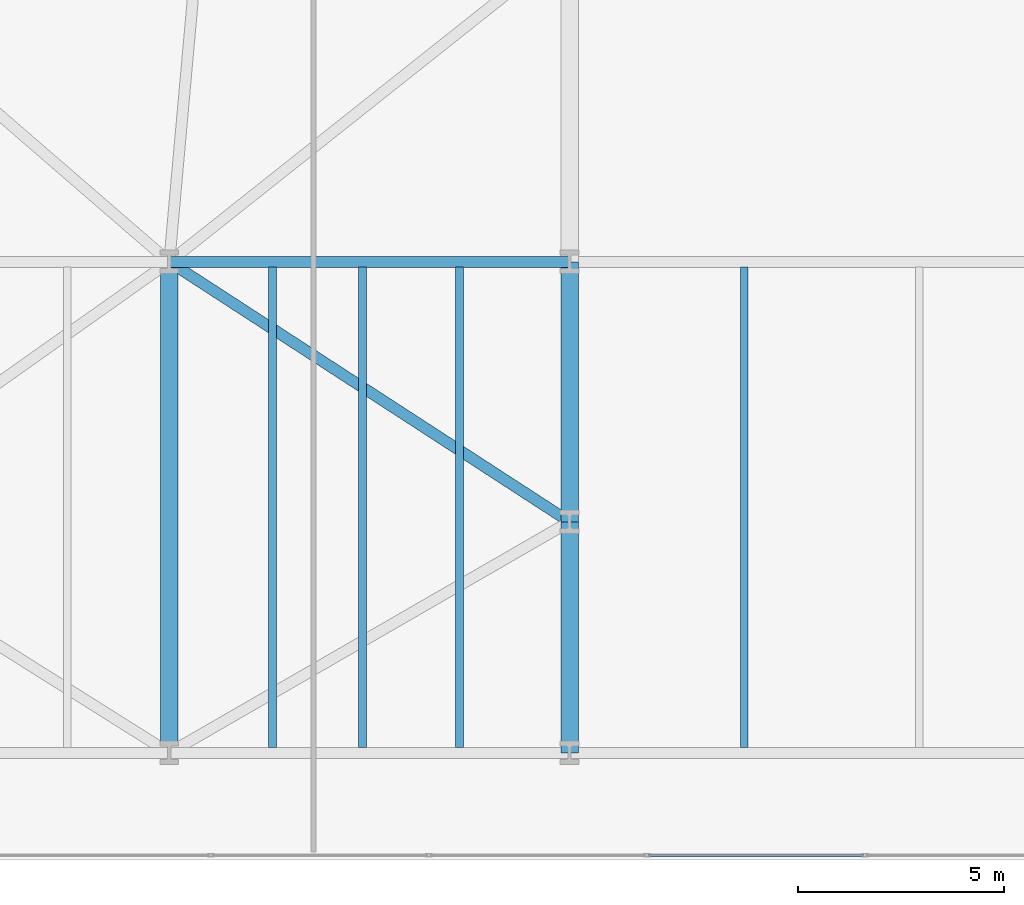
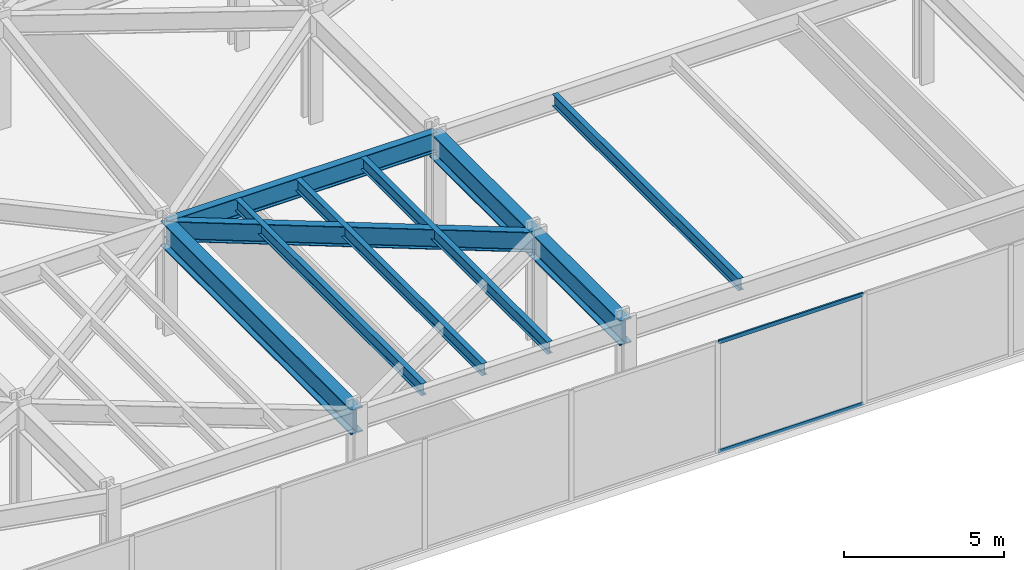
# One storey, part 7 of 28: 9 beams, 2 members, 1 element without a shape of its own.
"""IFC4 building model written with IfcOpenShell, lengths in metres."""

from ifc_helpers import new_model, si_unit, direction, frame, origin, origin_2d, place, context, subcontext, project, spatial, hollow_rectangle, i_section, extrude, material, layer, layer_set, material_profile, profile_set, type_object, element, aggregate, save


model = new_model("IFC4")

# Units and contexts
model_context = context("Model", 3, precision=1e-05, world=origin(), true_north=direction((0.0, 1.0)))
body_context = subcontext(model_context, "Body", "Model", "MODEL_VIEW")
ifc_project = project(units=[si_unit("LENGTHUNIT", "METRE"), si_unit("AREAUNIT", "SQUARE_METRE"), si_unit("VOLUMEUNIT", "CUBIC_METRE"), si_unit("PLANEANGLEUNIT", "RADIAN"), si_unit("MASSUNIT", "GRAM", prefix="KILO")], contexts=[model_context])

# Site, building, storey
site_placement = place(None, origin())
site = spatial("IfcSite", under=ifc_project, at=site_placement, CompositionType="ELEMENT")
building_placement = place(site_placement, origin())
building = spatial("IfcBuilding", under=site, at=building_placement, Name="Kravanh Interchange Tower", CompositionType="ELEMENT")
storey_placement = place(building_placement, frame((0.0, 0.0, 15.300048828125)))
storey = spatial("IfcBuildingStorey", under=building, at=storey_placement, Name="L03", CompositionType="ELEMENT", Elevation=15.300048828125)

# Curtain wall, members
ifc_material_1 = material(Name="Anodised Bronze Aluminium", Category="aluminium")
ifc_layer = layer(ifc_material_1, 0.179931640625)
ifc_layer_set = layer_set([ifc_layer], Name="Unitised Curtain Wall System CW-POD Podium Concourse")
curtain_wall_type = type_object("IfcCurtainWallType", Name="Unitised Curtain Wall System CW-POD Podium Concourse", PredefinedType="NOTDEFINED", material=ifc_layer_set)
curtain_wall_placement = place(storey_placement, origin())
curtain_wall = element("IfcCurtainWall", 1, at=curtain_wall_placement, inside=storey, type_object=curtain_wall_type, Name="L03 Unitised Curtain Wall CW-L03-04", PredefinedType="NOTDEFINED")
ifc_material_2 = material(Name="Anodised Bronze Aluminium", Category="aluminium")
ifc_material_profile_1 = material_profile(ifc_material_2, hollow_rectangle(XDim=0.06005859375, YDim=0.139892578125, WallThickness=0.00390625, at=origin_2d()), Name="ALU60X140X4")
ifc_profile_set_1 = profile_set([ifc_material_profile_1], Name="Anodised Bronze Aluminium")
member_type = type_object("IfcMemberType", Name="Curtain Wall Transom ALU60X140X4 Bronze", PredefinedType="USERDEFINED", material=ifc_profile_set_1)
member_1_placement = place(storey_placement, frame((34.32275390625, 0.1201171875, 0.030029296875), z_axis=(-1.0, 0.0, 0.0), x_axis=(0.0, -1.0, 0.0)))
member_1 = element("IfcMember", 2, at=member_1_placement, type_object=member_type, Name="CW-POD transom 8.1", ObjectType="TRANSOM", PredefinedType="USERDEFINED", context=body_context, shape_type="SweptSolid", body=[
    extrude(hollow_rectangle(XDim=0.06005859375, YDim=0.139892578125, WallThickness=0.00390625, at=origin_2d()), origin(), (0.0, 0.0, 1.0), 5.21484375),
])
member_2_placement = place(storey_placement, frame((34.32275390625, 0.1201171875, 4.199951171875), z_axis=(-1.0, 0.0, 0.0), x_axis=(0.0, -1.0, 0.0)))
member_2 = element("IfcMember", 3, at=member_2_placement, type_object=member_type, Name="CW-POD transom 8.2", ObjectType="TRANSOM", PredefinedType="USERDEFINED", context=body_context, shape_type="SweptSolid", body=[
    extrude(hollow_rectangle(XDim=0.06005859375, YDim=0.139892578125, WallThickness=0.00390625, at=origin_2d()), origin(), (0.0, 0.0, 1.0), 5.21484375),
])
aggregate(curtain_wall, [member_1, member_2])

# Beams
ifc_material_3 = material(Name="Structural Steel S450", Category="steel")
ifc_material_profile_2 = material_profile(ifc_material_3, i_section(OverallWidth=0.423095703125, OverallDepth=0.947998046875, WebThickness=0.02392578125, FlangeThickness=0.042724609375, FilletRadius=0.028076171875, at=origin_2d()), Name="W36X302")
ifc_profile_set_2 = profile_set([ifc_material_profile_2], Name="Structural Steel S450")
beam_type_1 = type_object("IfcBeamType", Name="Floor Beam W36X302 Structural Steel S450", PredefinedType="BEAM", material=ifc_profile_set_2)
beam_1_placement = place(storey_placement, frame((17.5, 2.60009765625, 3.755859375), z_axis=(0.0, 1.0, 0.0), x_axis=(-1.0, 0.0, 0.0)))
element("IfcBeam", 4, at=beam_1_placement, inside=storey, type_object=beam_type_1, Name="L03 Primary Floor Girder 7", PredefinedType="BEAM", context=body_context, shape_type="SweptSolid", body=[
    extrude(i_section(OverallWidth=0.423095703125, OverallDepth=0.947998046875, WebThickness=0.02392578125, FlangeThickness=0.042724609375, FilletRadius=0.028076171875, at=origin_2d()), origin(), (0.0, 0.0, 1.0), 11.89990234375),
])
beam_2_placement = place(storey_placement, frame((27.199951171875, 2.60009765625, 3.755859375), z_axis=(0.0, 1.0, 0.0), x_axis=(-1.0, 0.0, 0.0)))
element("IfcBeam", 5, at=beam_2_placement, inside=storey, type_object=beam_type_1, Name="L03 Primary Floor Girder 8", PredefinedType="BEAM", context=body_context, shape_type="SweptSolid", body=[
    extrude(i_section(OverallWidth=0.423095703125, OverallDepth=0.947998046875, WebThickness=0.02392578125, FlangeThickness=0.042724609375, FilletRadius=0.028076171875, at=origin_2d()), origin(), (0.0, 0.0, 1.0), 5.599853515625),
])
beam_3_placement = place(storey_placement, frame((27.199951171875, 8.199951171875, 3.755859375), z_axis=(0.0, 1.0, 0.0), x_axis=(-1.0, 0.0, 0.0)))
element("IfcBeam", 6, at=beam_3_placement, inside=storey, type_object=beam_type_1, Name="L03 Primary Floor Girder 27", PredefinedType="BEAM", context=body_context, shape_type="SweptSolid", body=[
    extrude(i_section(OverallWidth=0.423095703125, OverallDepth=0.947998046875, WebThickness=0.02392578125, FlangeThickness=0.042724609375, FilletRadius=0.028076171875, at=origin_2d()), origin(), (0.0, 0.0, 1.0), 6.300048828125),
])
ifc_material_4 = material(Name="Structural Steel S355", Category="steel")
ifc_material_profile_3 = material_profile(ifc_material_4, i_section(OverallWidth=0.18994140625, OverallDepth=0.45703125, WebThickness=0.009033203125, FlangeThickness=0.014404296875, FilletRadius=0.01806640625, at=origin_2d()), Name="W18X50")
ifc_profile_set_3 = profile_set([ifc_material_profile_3], Name="Structural Steel S355")
beam_type_2 = type_object("IfcBeamType", Name="Floor Joist W18X50 Structural Steel S355", PredefinedType="JOIST", material=ifc_profile_set_3)
for number, where, z_axis, x_axis, name in (
    (7, (19.998046875, 2.728515625, 4.00146484375), (0.0, 1.0, 0.0), (-1.0, 0.0, 0.0), "L03 Secondary Floor Joist 4"),
    (8, (22.181884765625, 2.728515625, 4.00146484375), (0.0, 1.0, 0.0), (-1.0, 0.0, 0.0), "L03 Secondary Floor Joist 5"),
    (9, (24.533935546875, 2.728515625, 4.00146484375), (0.0, 1.0, 0.0), (-1.0, 0.0, 0.0), "L03 Secondary Floor Joist 6"),
    (10, (31.43603515625, 2.728515625, 4.00146484375), (0.0, 1.0, 0.0), (-1.0, 0.0, 0.0), "L03 Secondary Floor Joist 7"),
):
    element("IfcBeam", number, at=place(storey_placement, frame(where, z_axis=z_axis, x_axis=x_axis)), inside=storey, type_object=beam_type_2, Name=name, PredefinedType="JOIST", context=body_context, shape_type="SweptSolid", body=[
        extrude(i_section(OverallWidth=0.18994140625, OverallDepth=0.45703125, WebThickness=0.009033203125, FlangeThickness=0.014404296875, FilletRadius=0.01806640625, at=origin_2d()), origin(), (0.0, 0.0, 1.0), 11.64306640625),
    ])
ifc_material_5 = material(Name="Structural Steel S355", Category="steel")
ifc_material_profile_4 = material_profile(ifc_material_5, i_section(OverallWidth=0.26708984375, OverallDepth=0.761962890625, WebThickness=0.014404296875, FlangeThickness=0.021484375, FilletRadius=0.02490234375, at=origin_2d()), Name="W30X116")
ifc_profile_set_4 = profile_set([ifc_material_profile_4], Name="Structural Steel S355")
beam_type_3 = type_object("IfcBeamType", Name="Floor Spandrel W30X116 Structural Steel S355", PredefinedType="SPANDREL", material=ifc_profile_set_4)
beam_4_placement = place(storey_placement, frame((27.199951171875, 8.199951171875, 3.848876953125), z_axis=(-0.838637911458, 0.544689318295, 0.0), x_axis=(-0.544689318295, -0.838637911458, 0.0)))
element("IfcBeam", 11, at=beam_4_placement, inside=storey, type_object=beam_type_3, Name="L03 Perimeter Spandrel 28", PredefinedType="SPANDREL", context=body_context, shape_type="SweptSolid", body=[
    extrude(i_section(OverallWidth=0.26708984375, OverallDepth=0.761962890625, WebThickness=0.014404296875, FlangeThickness=0.021484375, FilletRadius=0.02490234375, at=origin_2d()), origin(), (0.0, 0.0, 1.0), 11.56640625),
])
beam_5_placement = place(storey_placement, frame((17.5, 14.5, 3.848876953125), z_axis=(1.0, 0.0, 0.0), x_axis=(0.0, 1.0, 0.0)))
element("IfcBeam", 12, at=beam_5_placement, inside=storey, type_object=beam_type_3, Name="L03 Perimeter Spandrel 41", PredefinedType="SPANDREL", context=body_context, shape_type="SweptSolid", body=[
    extrude(i_section(OverallWidth=0.26708984375, OverallDepth=0.761962890625, WebThickness=0.014404296875, FlangeThickness=0.021484375, FilletRadius=0.02490234375, at=origin_2d()), origin(), (0.0, 0.0, 1.0), 9.699951171875),
])

save(model, "model.ifc")
